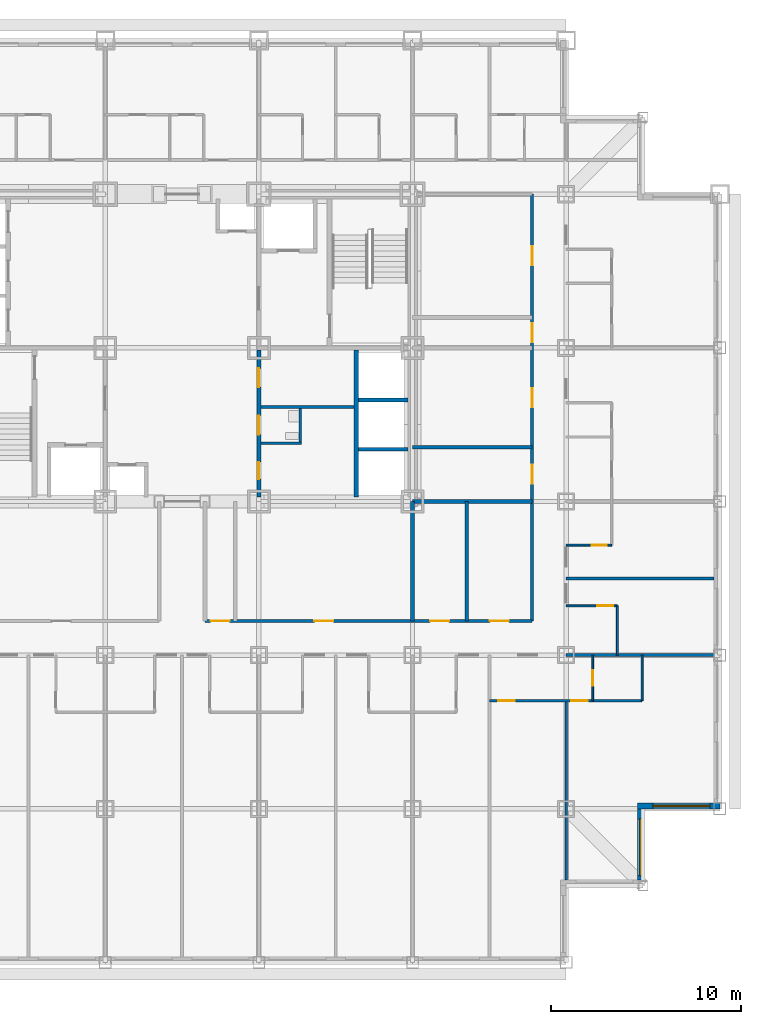
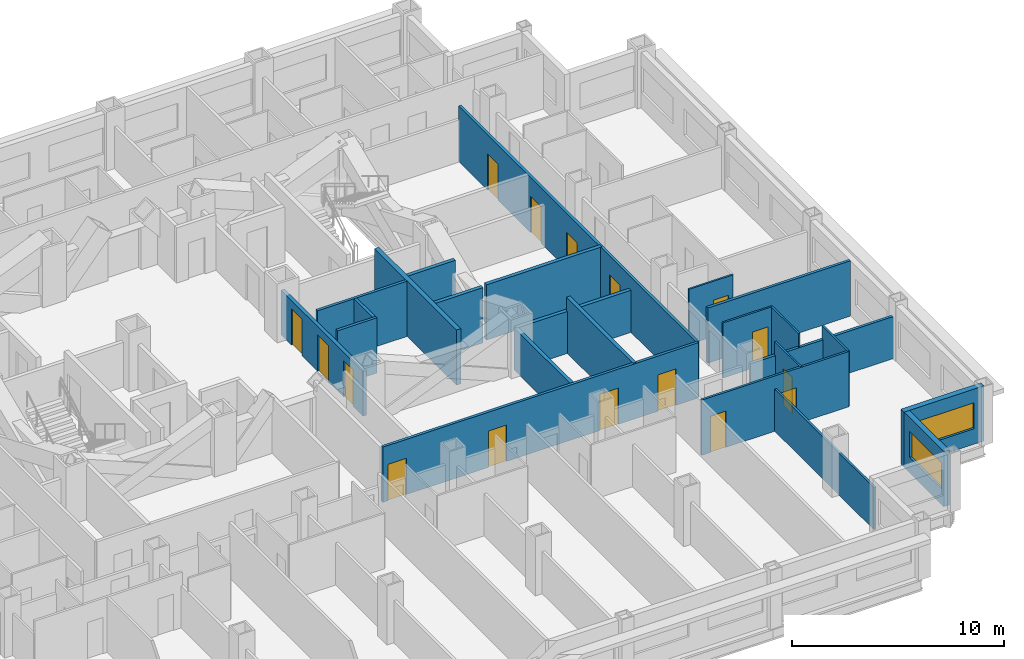
# One storey, part 6 of 12: 24 walls, 16 doors, 2 windows, 18 openings.
"""IFC4 building model written with IfcOpenShell, lengths in metres."""

from ifc_helpers import new_model, si_unit, direction, frame, frame_2d, origin, place, context, subcontext, project, spatial, rectangle, extrude, material, layer, layer_set, type_object, element, fill, save


model = new_model("IFC4")

# Units and contexts
model_context = context("Model", 3, precision=1e-05, world=origin(), true_north=direction((0.0, 1.0)))
body_context = subcontext(model_context, "Body", "Model", "MODEL_VIEW")
ifc_project = project(units=[si_unit("LENGTHUNIT", "METRE"), si_unit("AREAUNIT", "SQUARE_METRE"), si_unit("VOLUMEUNIT", "CUBIC_METRE"), si_unit("PLANEANGLEUNIT", "RADIAN"), si_unit("MASSUNIT", "GRAM", prefix="KILO")], contexts=[model_context])

# Site, building, storey
site_placement = place(None, origin())
site = spatial("IfcSite", under=ifc_project, at=site_placement, CompositionType="ELEMENT")
building_placement = place(site_placement, origin())
building = spatial("IfcBuilding", under=site, at=building_placement, Name="Kopane Lantern Tower", CompositionType="ELEMENT")
storey_placement = place(building_placement, frame((0.0, 0.0, 77.199951171875)))
storey = spatial("IfcBuildingStorey", under=building, at=storey_placement, Name="L19", CompositionType="ELEMENT", Elevation=77.199951171875)

# Wall, openings, doors
ifc_material_1 = material(Name="Gypsum board on steel studs", Category="steel")
ifc_layer_1 = layer(ifc_material_1, 0.1201171875)
ifc_layer_set_1 = layer_set([ifc_layer_1], Name="APARTMENT INTERNAL WALL 120")
wall_type_1 = type_object("IfcWallType", Name="APARTMENT INTERNAL WALL 120", PredefinedType="PARTITIONING", material=ifc_layer_set_1)
wall_1_placement = place(storey_placement, frame((44.550048828125, 13.800048828125, 0.0), z_axis=(0.0, 0.0, 1.0), x_axis=(1.0, 0.0, 0.0)))
wall_1 = element("IfcWall", 1, at=wall_1_placement, inside=storey, type_object=wall_type_1, Name="Apartment Internal Wall 120 L19", PredefinedType="PARTITIONING", context=body_context, shape_type="SweptSolid", body=[
    extrude(rectangle(XDim=8.050048828125, YDim=0.1201171875, at=frame_2d((4.02490234375, 0.0))), origin(), (0.0, 0.0, 1.0), 3.18994140625),
])
opening_1_placement = place(wall_1_placement, frame((0.47509765625, 0.0, 0.0)))
opening_1 = element("IfcOpeningElement", 2, at=opening_1_placement, cuts=wall_1, Name="Opening L19-064", PredefinedType="OPENING", context=body_context, shape_type="SweptSolid", body=[
    extrude(rectangle(XDim=0.85009765625, YDim=2.10009765625, at=frame_2d((0.425048828125, 1.050048828125))), frame((0.0, 0.070068359375, 0.0), z_axis=(0.0, -1.0, 0.0), x_axis=(1.0, 0.0, 0.0)), (0.0, 0.0, 1.0), 0.14013671875),
])
opening_2_placement = place(wall_1_placement, frame((4.324951171875, 0.0, 0.0)))
opening_2 = element("IfcOpeningElement", 3, at=opening_2_placement, cuts=wall_1, Name="Opening L19-066", PredefinedType="OPENING", context=body_context, shape_type="SweptSolid", body=[
    extrude(rectangle(XDim=0.85009765625, YDim=2.10009765625, at=frame_2d((0.425048828125, 1.050048828125))), frame((0.0, 0.070068359375, 0.0), z_axis=(0.0, -1.0, 0.0), x_axis=(1.0, 0.0, 0.0)), (0.0, 0.0, 1.0), 0.14013671875),
])
ifc_material_2 = material(Name="Timber door set", Category="wood")
door_type_1 = type_object("IfcDoorType", Name="DOOR D4 850x2100", OperationType="SINGLE_SWING_LEFT", PredefinedType="DOOR", material=ifc_material_2)
door_1_placement = place(opening_1_placement, origin())
door_1 = element("IfcDoor", 4, at=door_1_placement, inside=storey, type_object=door_type_1, Name="Door L19-064", OperationType="SINGLE_SWING_LEFT", OverallHeight=2.10009765625, OverallWidth=0.85009765625, PredefinedType="DOOR", context=body_context, shape_type="SweptSolid", body=[
    extrude(rectangle(XDim=0.85009765625, YDim=2.10009765625, at=frame_2d((0.425048828125, 1.050048828125))), frame((0.0, 0.02490234375, 0.0), z_axis=(0.0, -1.0, 0.0), x_axis=(1.0, 0.0, 0.0)), (0.0, 0.0, 1.0), 0.050048828125),
])
fill(opening_1, door_1)
door_2_placement = place(opening_2_placement, origin())
door_2 = element("IfcDoor", 5, at=door_2_placement, inside=storey, type_object=door_type_1, Name="Door L19-066", OperationType="SINGLE_SWING_RIGHT", OverallHeight=2.10009765625, OverallWidth=0.85009765625, PredefinedType="DOOR", context=body_context, shape_type="SweptSolid", body=[
    extrude(rectangle(XDim=0.85009765625, YDim=2.10009765625, at=frame_2d((0.425048828125, 1.050048828125))), frame((0.0, 0.02490234375, 0.0), z_axis=(0.0, -1.0, 0.0), x_axis=(1.0, 0.0, 0.0)), (0.0, 0.0, 1.0), 0.050048828125),
])
fill(opening_2, door_2)

# Walls
wall_2_placement = place(storey_placement, frame((48.60009765625, 13.800048828125, 0.0), z_axis=(0.0, 0.0, 1.0), x_axis=(0.0, -1.0, 0.0)))
element("IfcWall", 6, at=wall_2_placement, inside=storey, type_object=wall_type_1, Name="Apartment Internal Wall 120 L19", PredefinedType="PARTITIONING", context=body_context, shape_type="SweptSolid", body=[
    extrude(rectangle(XDim=9.449951171875, YDim=0.1201171875, at=frame_2d((4.72509765625, 0.0))), origin(), (0.0, 0.0, 1.0), 2.427734375),
])
ifc_material_3 = material(Name="Moisture-resistant board on steel studs", Category="steel")
ifc_layer_2 = layer(ifc_material_3, 0.10009765625)
ifc_layer_set_2 = layer_set([ifc_layer_2], Name="BATHROOM WALL 100")
wall_type_2 = type_object("IfcWallType", Name="BATHROOM WALL 100", PredefinedType="PARTITIONING", material=ifc_layer_set_2)
wall_3_placement = place(storey_placement, frame((51.300048828125, 16.199951171875, 0.0), z_axis=(0.0, 0.0, 1.0), x_axis=(0.0, 1.0, 0.0)))
element("IfcWall", 7, at=wall_3_placement, inside=storey, type_object=wall_type_2, Name="Bathroom Wall 100 L19", PredefinedType="PARTITIONING", context=body_context, shape_type="SweptSolid", body=[
    extrude(rectangle(XDim=2.60009765625, YDim=0.10009765625, at=frame_2d((1.300048828125, 0.0))), origin(), (0.0, 0.0, 1.0), 3.18994140625),
])

# Wall, opening, door
wall_4_placement = place(storey_placement, frame((48.60009765625, 18.800048828125, 0.0), z_axis=(0.0, 0.0, 1.0), x_axis=(1.0, 0.0, 0.0)))
wall_4 = element("IfcWall", 8, at=wall_4_placement, inside=storey, type_object=wall_type_2, Name="Bathroom Wall 100 L19", PredefinedType="PARTITIONING", context=body_context, shape_type="SweptSolid", body=[
    extrude(rectangle(XDim=2.699951171875, YDim=0.10009765625, at=frame_2d((1.35009765625, 0.0))), origin(), (0.0, 0.0, 1.0), 3.18994140625),
])
opening_3_placement = place(wall_4_placement, frame((1.625, 0.0, 0.0)))
opening_3 = element("IfcOpeningElement", 9, at=opening_3_placement, cuts=wall_4, Name="Opening L19-049", PredefinedType="OPENING", context=body_context, shape_type="SweptSolid", body=[
    extrude(rectangle(XDim=0.85009765625, YDim=2.10009765625, at=frame_2d((0.425048828125, 1.050048828125))), frame((0.0, 0.06005859375, 0.0), z_axis=(0.0, -1.0, 0.0), x_axis=(1.0, 0.0, 0.0)), (0.0, 0.0, 1.0), 0.1201171875),
])
door_3_placement = place(opening_3_placement, origin())
door_3 = element("IfcDoor", 10, at=door_3_placement, inside=storey, type_object=door_type_1, Name="Door L19-049", OperationType="SINGLE_SWING_LEFT", OverallHeight=2.10009765625, OverallWidth=0.85009765625, PredefinedType="DOOR", context=body_context, shape_type="SweptSolid", body=[
    extrude(rectangle(XDim=0.85009765625, YDim=2.10009765625, at=frame_2d((0.425048828125, 1.050048828125))), frame((0.0, 0.02490234375, 0.0), z_axis=(0.0, -1.0, 0.0), x_axis=(1.0, 0.0, 0.0)), (0.0, 0.0, 1.0), 0.050048828125),
])
fill(opening_3, door_3)

wall_5_placement = place(storey_placement, frame((48.60009765625, 22.0, 0.0), z_axis=(0.0, 0.0, 1.0), x_axis=(1.0, 0.0, 0.0)))
wall_5 = element("IfcWall", 11, at=wall_5_placement, inside=storey, type_object=wall_type_2, Name="Bathroom Wall 100 L19", PredefinedType="PARTITIONING", context=body_context, shape_type="SweptSolid", body=[
    extrude(rectangle(XDim=2.39990234375, YDim=0.10009765625, at=frame_2d((1.199951171875, 0.0))), origin(), (0.0, 0.0, 1.0), 3.18994140625),
])
opening_4_placement = place(wall_5_placement, frame((1.35009765625, 0.0, 0.0)))
opening_4 = element("IfcOpeningElement", 12, at=opening_4_placement, cuts=wall_5, Name="Opening L19-051", PredefinedType="OPENING", context=body_context, shape_type="SweptSolid", body=[
    extrude(rectangle(XDim=0.800048828125, YDim=2.10009765625, at=frame_2d((0.39990234375, 1.050048828125))), frame((0.0, 0.06005859375, 0.0), z_axis=(0.0, -1.0, 0.0), x_axis=(1.0, 0.0, 0.0)), (0.0, 0.0, 1.0), 0.1201171875),
])
ifc_material_4 = material(Name="Timber door set", Category="wood")
door_type_2 = type_object("IfcDoorType", Name="DOOR D2 800x2100", OperationType="SINGLE_SWING_LEFT", PredefinedType="DOOR", material=ifc_material_4)
door_4_placement = place(opening_4_placement, origin())
door_4 = element("IfcDoor", 13, at=door_4_placement, inside=storey, type_object=door_type_2, Name="Door L19-051", OperationType="SINGLE_SWING_RIGHT", OverallHeight=2.10009765625, OverallWidth=0.800048828125, PredefinedType="DOOR", context=body_context, shape_type="SweptSolid", body=[
    extrude(rectangle(XDim=0.800048828125, YDim=2.10009765625, at=frame_2d((0.39990234375, 1.050048828125))), frame((0.0, 0.02490234375, 0.0), z_axis=(0.0, -1.0, 0.0), x_axis=(1.0, 0.0, 0.0)), (0.0, 0.0, 1.0), 0.050048828125),
])
fill(opening_4, door_4)

wall_6_placement = place(storey_placement, frame((50.0, 16.199951171875, 0.0), z_axis=(0.0, 0.0, 1.0), x_axis=(0.0, -1.0, 0.0)))
wall_6 = element("IfcWall", 14, at=wall_6_placement, inside=storey, type_object=wall_type_2, Name="Bathroom Wall 100 L19", PredefinedType="PARTITIONING", context=body_context, shape_type="SweptSolid", body=[
    extrude(rectangle(XDim=2.39990234375, YDim=0.10009765625, at=frame_2d((1.199951171875, 0.0))), origin(), (0.0, 0.0, 1.0), 3.18994140625),
])
opening_5_placement = place(wall_6_placement, frame((0.800048828125, 0.0, 0.0)))
opening_5 = element("IfcOpeningElement", 15, at=opening_5_placement, cuts=wall_6, Name="Opening L19-065", PredefinedType="OPENING", context=body_context, shape_type="SweptSolid", body=[
    extrude(rectangle(XDim=0.800048828125, YDim=2.10009765625, at=frame_2d((0.39990234375, 1.050048828125))), frame((0.0, 0.06005859375, 0.0), z_axis=(0.0, -1.0, 0.0), x_axis=(1.0, 0.0, 0.0)), (0.0, 0.0, 1.0), 0.1201171875),
])
door_5_placement = place(opening_5_placement, origin())
door_5 = element("IfcDoor", 16, at=door_5_placement, inside=storey, type_object=door_type_2, Name="Door L19-065", OperationType="SINGLE_SWING_LEFT", OverallHeight=2.10009765625, OverallWidth=0.800048828125, PredefinedType="DOOR", context=body_context, shape_type="SweptSolid", body=[
    extrude(rectangle(XDim=0.800048828125, YDim=2.10009765625, at=frame_2d((0.39990234375, 1.050048828125))), frame((0.0, 0.02490234375, 0.0), z_axis=(0.0, -1.0, 0.0), x_axis=(1.0, 0.0, 0.0)), (0.0, 0.0, 1.0), 0.050048828125),
])
fill(opening_5, door_5)

# Walls
wall_7_placement = place(storey_placement, frame((52.60009765625, 16.199951171875, 0.0), z_axis=(0.0, 0.0, 1.0), x_axis=(0.0, -1.0, 0.0)))
element("IfcWall", 17, at=wall_7_placement, inside=storey, type_object=wall_type_2, Name="Bathroom Wall 100 L19", PredefinedType="PARTITIONING", context=body_context, shape_type="SweptSolid", body=[
    extrude(rectangle(XDim=2.39990234375, YDim=0.10009765625, at=frame_2d((1.199951171875, 0.0))), origin(), (0.0, 0.0, 1.0), 3.18994140625),
])
ifc_material_5 = material(Name="Gypsum partition EI 60", Category="gypsum")
ifc_layer_3 = layer(ifc_material_5, 0.14990234375)
ifc_layer_set_3 = layer_set([ifc_layer_3], Name="CORE ROOM PARTITION 150 EI 60")
wall_type_3 = type_object("IfcWallType", Name="CORE ROOM PARTITION 150 EI 60", PredefinedType="PARTITIONING", material=ifc_layer_set_3)
wall_8_placement = place(storey_placement, frame((32.5, 27.375, 0.0), z_axis=(0.0, 0.0, 1.0), x_axis=(1.0, 0.0, 0.0)))
element("IfcWall", 18, at=wall_8_placement, inside=storey, type_object=wall_type_3, Name="Core room partition L19 E1", PredefinedType="PARTITIONING", context=body_context, shape_type="SweptSolid", body=[
    extrude(rectangle(XDim=2.14990234375, YDim=0.14990234375, at=frame_2d((1.074951171875, 0.0))), origin(), (0.0, 0.0, 1.0), 3.18994140625),
])
wall_9_placement = place(storey_placement, frame((32.5, 29.27490234375, 0.0), z_axis=(0.0, 0.0, 1.0), x_axis=(1.0, 0.0, 0.0)))
element("IfcWall", 19, at=wall_9_placement, inside=storey, type_object=wall_type_3, Name="Core room partition L19 E2", PredefinedType="PARTITIONING", context=body_context, shape_type="SweptSolid", body=[
    extrude(rectangle(XDim=4.89990234375, YDim=0.14990234375, at=frame_2d((2.449951171875, 0.0))), origin(), (0.0, 0.0, 1.0), 3.18994140625),
])
wall_10_placement = place(storey_placement, frame((34.574951171875, 27.449951171875, 0.0), z_axis=(0.0, 0.0, 1.0), x_axis=(0.0, 1.0, 0.0)))
element("IfcWall", 20, at=wall_10_placement, inside=storey, type_object=wall_type_3, Name="Core room partition L19 EB1", PredefinedType="PARTITIONING", context=body_context, shape_type="SweptSolid", body=[
    extrude(rectangle(XDim=1.75, YDim=0.14990234375, at=frame_2d((0.875, 0.0))), origin(), (0.0, 0.0, 1.0), 3.18994140625),
])

# Wall, openings, doors
ifc_material_6 = material(Name="Gypsum partition EI 60", Category="gypsum")
ifc_layer_4 = layer(ifc_material_6, 0.199951171875)
ifc_layer_set_4 = layer_set([ifc_layer_4], Name="CORE ROOM WALL 200 EI 60")
wall_type_4 = type_object("IfcWallType", Name="CORE ROOM WALL 200 EI 60", PredefinedType="PARTITIONING", material=ifc_layer_set_4)
wall_11_placement = place(storey_placement, frame((32.39990234375, 24.550048828125, 0.0), z_axis=(0.0, 0.0, 1.0), x_axis=(0.0, 1.0, 0.0)))
wall_11 = element("IfcWall", 21, at=wall_11_placement, inside=storey, type_object=wall_type_4, Name="Core room wall L19 XE", PredefinedType="PARTITIONING", context=body_context, shape_type="SweptSolid", body=[
    extrude(rectangle(XDim=7.75, YDim=0.199951171875, at=frame_2d((3.875, 0.0))), origin(), (0.0, 0.0, 1.0), 2.577880859375),
])
opening_6_placement = place(wall_11_placement, frame((0.925048828125, 0.0, 0.0)))
opening_6 = element("IfcOpeningElement", 22, at=opening_6_placement, cuts=wall_11, Name="Opening 19.C20", PredefinedType="OPENING", context=body_context, shape_type="SweptSolid", body=[
    extrude(rectangle(XDim=0.89990234375, YDim=2.10009765625, at=frame_2d((0.449951171875, 1.050048828125))), frame((0.0, 0.10986328125, 0.0), z_axis=(0.0, -1.0, 0.0), x_axis=(1.0, 0.0, 0.0)), (0.0, 0.0, 1.0), 0.219970703125),
])
opening_7_placement = place(wall_11_placement, frame((3.27490234375, 0.0, 0.0)))
opening_7 = element("IfcOpeningElement", 23, at=opening_7_placement, cuts=wall_11, Name="Opening 19.C21", PredefinedType="OPENING", context=body_context, shape_type="SweptSolid", body=[
    extrude(rectangle(XDim=1.0, YDim=2.10009765625, at=frame_2d((0.5, 1.050048828125))), frame((0.0, 0.10986328125, 0.0), z_axis=(0.0, -1.0, 0.0), x_axis=(1.0, 0.0, 0.0)), (0.0, 0.0, 1.0), 0.219970703125),
])
opening_8_placement = place(wall_11_placement, frame((5.77490234375, 0.0, 0.0)))
opening_8 = element("IfcOpeningElement", 24, at=opening_8_placement, cuts=wall_11, Name="Opening 19.C22", PredefinedType="OPENING", context=body_context, shape_type="SweptSolid", body=[
    extrude(rectangle(XDim=1.0, YDim=2.10009765625, at=frame_2d((0.5, 1.050048828125))), frame((0.0, 0.10986328125, 0.0), z_axis=(0.0, -1.0, 0.0), x_axis=(1.0, 0.0, 0.0)), (0.0, 0.0, 1.0), 0.219970703125),
])
ifc_material_7 = material(Name="Steel door set", Category="steel")
door_type_3 = type_object("IfcDoorType", Name="CORE ROOM DOOR 1000x2100 FD30S", OperationType="SINGLE_SWING_RIGHT", PredefinedType="DOOR", material=ifc_material_7)
door_6_placement = place(opening_7_placement, origin())
door_6 = element("IfcDoor", 25, at=door_6_placement, inside=storey, type_object=door_type_3, Name="Door Staff WC L19", OperationType="SINGLE_SWING_LEFT", OverallHeight=2.10009765625, OverallWidth=1.0, PredefinedType="DOOR", context=body_context, shape_type="SweptSolid", body=[
    extrude(rectangle(XDim=1.0, YDim=2.10009765625, at=frame_2d((0.5, 1.050048828125))), frame((0.0, 0.02490234375, 0.0), z_axis=(0.0, -1.0, 0.0), x_axis=(1.0, 0.0, 0.0)), (0.0, 0.0, 1.0), 0.050048828125),
])
fill(opening_7, door_6)
door_7_placement = place(opening_8_placement, origin())
door_7 = element("IfcDoor", 26, at=door_7_placement, inside=storey, type_object=door_type_3, Name="Door Guest pantry L19", OperationType="SINGLE_SWING_RIGHT", OverallHeight=2.10009765625, OverallWidth=1.0, PredefinedType="DOOR", context=body_context, shape_type="SweptSolid", body=[
    extrude(rectangle(XDim=1.0, YDim=2.10009765625, at=frame_2d((0.5, 1.050048828125))), frame((0.0, 0.02490234375, 0.0), z_axis=(0.0, -1.0, 0.0), x_axis=(1.0, 0.0, 0.0)), (0.0, 0.0, 1.0), 0.050048828125),
])
fill(opening_8, door_7)
ifc_material_8 = material(Name="Steel door set", Category="steel")
door_type_4 = type_object("IfcDoorType", Name="CORE ROOM DOOR 900x2100 FD60", OperationType="SINGLE_SWING_LEFT", PredefinedType="DOOR", material=ifc_material_8)
door_8_placement = place(opening_6_placement, origin())
door_8 = element("IfcDoor", 27, at=door_8_placement, inside=storey, type_object=door_type_4, Name="Door Luggage store L19", OperationType="SINGLE_SWING_LEFT", OverallHeight=2.10009765625, OverallWidth=0.89990234375, PredefinedType="DOOR", context=body_context, shape_type="SweptSolid", body=[
    extrude(rectangle(XDim=0.89990234375, YDim=2.10009765625, at=frame_2d((0.449951171875, 1.050048828125))), frame((0.0, 0.02490234375, 0.0), z_axis=(0.0, -1.0, 0.0), x_axis=(1.0, 0.0, 0.0)), (0.0, 0.0, 1.0), 0.050048828125),
])
fill(opening_6, door_8)

# Wall
ifc_material_9 = material(Name="Gypsum shaft wall EI 120", Category="gypsum")
ifc_layer_5 = layer(ifc_material_9, 0.25)
ifc_layer_set_5 = layer_set([ifc_layer_5], Name="CORE SHAFT WALL 250 EI 120")
wall_type_5 = type_object("IfcWallType", Name="CORE SHAFT WALL 250 EI 120", PredefinedType="SOLIDWALL", material=ifc_layer_set_5)
wall_12_placement = place(storey_placement, frame((37.52490234375, 24.550048828125, 0.0), z_axis=(0.0, 0.0, 1.0), x_axis=(0.0, 1.0, 0.0)))
element("IfcWall", 28, at=wall_12_placement, inside=storey, type_object=wall_type_5, Name="Core shaft wall L19 XLR", PredefinedType="SOLIDWALL", context=body_context, shape_type="SweptSolid", body=[
    extrude(rectangle(XDim=7.75, YDim=0.25, at=frame_2d((3.875, 0.0))), origin(), (0.0, 0.0, 1.0), 3.18994140625),
])

# Wall, openings, doors
ifc_material_10 = material(Name="Gypsum board on steel studs", Category="steel")
ifc_layer_6 = layer(ifc_material_10, 0.14990234375)
ifc_layer_set_6 = layer_set([ifc_layer_6], Name="CORRIDOR WALL 150 EI 60")
wall_type_6 = type_object("IfcWallType", Name="CORRIDOR WALL 150 EI 60", PredefinedType="PARTITIONING", material=ifc_layer_set_6)
wall_13_placement = place(storey_placement, frame((46.800048828125, 18.0, 0.0), z_axis=(0.0, 0.0, 1.0), x_axis=(0.0, 1.0, 0.0)))
wall_13 = element("IfcWall", 29, at=wall_13_placement, inside=storey, type_object=wall_type_6, Name="Corridor Wall 150 Ei 60 L19", PredefinedType="PARTITIONING", context=body_context, shape_type="SweptSolid", body=[
    extrude(rectangle(XDim=22.5, YDim=0.14990234375, at=frame_2d((11.25, 0.0))), origin(), (0.0, 0.0, 1.0), 3.18994140625),
])
opening_9_placement = place(wall_13_placement, frame((7.228515625, 0.0, 0.0)))
opening_9 = element("IfcOpeningElement", 30, at=opening_9_placement, cuts=wall_13, Name="Opening L19-003", PredefinedType="OPENING", context=body_context, shape_type="SweptSolid", body=[
    extrude(rectangle(XDim=1.0, YDim=2.10009765625, at=frame_2d((0.5, 1.050048828125))), frame((0.0, 0.0849609375, 0.0), z_axis=(0.0, -1.0, 0.0), x_axis=(1.0, 0.0, 0.0)), (0.0, 0.0, 1.0), 0.169921875),
])
opening_10_placement = place(wall_13_placement, frame((11.278564453125, 0.0, 0.0)))
opening_10 = element("IfcOpeningElement", 31, at=opening_10_placement, cuts=wall_13, Name="Opening L19-004", PredefinedType="OPENING", context=body_context, shape_type="SweptSolid", body=[
    extrude(rectangle(XDim=1.0, YDim=2.10009765625, at=frame_2d((0.5, 1.050048828125))), frame((0.0, 0.0849609375, 0.0), z_axis=(0.0, -1.0, 0.0), x_axis=(1.0, 0.0, 0.0)), (0.0, 0.0, 1.0), 0.169921875),
])
opening_11_placement = place(wall_13_placement, frame((14.699951171875, 0.0, 0.0)))
opening_11 = element("IfcOpeningElement", 32, at=opening_11_placement, cuts=wall_13, Name="Opening L19-005", PredefinedType="OPENING", context=body_context, shape_type="SweptSolid", body=[
    extrude(rectangle(XDim=1.0, YDim=2.10009765625, at=frame_2d((0.5, 1.050048828125))), frame((0.0, 0.0849609375, 0.0), z_axis=(0.0, -1.0, 0.0), x_axis=(1.0, 0.0, 0.0)), (0.0, 0.0, 1.0), 0.169921875),
])
opening_12_placement = place(wall_13_placement, frame((18.75, 0.0, 0.0)))
opening_12 = element("IfcOpeningElement", 33, at=opening_12_placement, cuts=wall_13, Name="Opening L19-006", PredefinedType="OPENING", context=body_context, shape_type="SweptSolid", body=[
    extrude(rectangle(XDim=1.0, YDim=2.10009765625, at=frame_2d((0.5, 1.050048828125))), frame((0.0, 0.0849609375, 0.0), z_axis=(0.0, -1.0, 0.0), x_axis=(1.0, 0.0, 0.0)), (0.0, 0.0, 1.0), 0.169921875),
])
ifc_material_11 = material(Name="Steel door set", Category="steel")
door_type_5 = type_object("IfcDoorType", Name="DOOR D5 1000x2100 FD60", OperationType="SINGLE_SWING_LEFT", PredefinedType="DOOR", material=ifc_material_11)
door_9_placement = place(opening_9_placement, origin())
door_9 = element("IfcDoor", 34, at=door_9_placement, inside=storey, type_object=door_type_5, Name="Door L19-003", OperationType="SINGLE_SWING_LEFT", OverallHeight=2.10009765625, OverallWidth=1.0, PredefinedType="DOOR", context=body_context, shape_type="SweptSolid", body=[
    extrude(rectangle(XDim=1.0, YDim=2.10009765625, at=frame_2d((0.5, 1.050048828125))), frame((0.0, 0.02490234375, 0.0), z_axis=(0.0, -1.0, 0.0), x_axis=(1.0, 0.0, 0.0)), (0.0, 0.0, 1.0), 0.050048828125),
])
fill(opening_9, door_9)
door_10_placement = place(opening_10_placement, origin())
door_10 = element("IfcDoor", 35, at=door_10_placement, inside=storey, type_object=door_type_5, Name="Door L19-004", OperationType="SINGLE_SWING_RIGHT", OverallHeight=2.10009765625, OverallWidth=1.0, PredefinedType="DOOR", context=body_context, shape_type="SweptSolid", body=[
    extrude(rectangle(XDim=1.0, YDim=2.10009765625, at=frame_2d((0.5, 1.050048828125))), frame((0.0, 0.02490234375, 0.0), z_axis=(0.0, -1.0, 0.0), x_axis=(1.0, 0.0, 0.0)), (0.0, 0.0, 1.0), 0.050048828125),
])
fill(opening_10, door_10)
door_11_placement = place(opening_11_placement, origin())
door_11 = element("IfcDoor", 36, at=door_11_placement, inside=storey, type_object=door_type_5, Name="Door L19-005", OperationType="SINGLE_SWING_LEFT", OverallHeight=2.10009765625, OverallWidth=1.0, PredefinedType="DOOR", context=body_context, shape_type="SweptSolid", body=[
    extrude(rectangle(XDim=1.0, YDim=2.10009765625, at=frame_2d((0.5, 1.050048828125))), frame((0.0, 0.02490234375, 0.0), z_axis=(0.0, -1.0, 0.0), x_axis=(1.0, 0.0, 0.0)), (0.0, 0.0, 1.0), 0.050048828125),
])
fill(opening_11, door_11)
door_12_placement = place(opening_12_placement, origin())
door_12 = element("IfcDoor", 37, at=door_12_placement, inside=storey, type_object=door_type_5, Name="Door L19-006", OperationType="SINGLE_SWING_RIGHT", OverallHeight=2.10009765625, OverallWidth=1.0, PredefinedType="DOOR", context=body_context, shape_type="SweptSolid", body=[
    extrude(rectangle(XDim=1.0, YDim=2.10009765625, at=frame_2d((0.5, 1.050048828125))), frame((0.0, 0.02490234375, 0.0), z_axis=(0.0, -1.0, 0.0), x_axis=(1.0, 0.0, 0.0)), (0.0, 0.0, 1.0), 0.050048828125),
])
fill(opening_12, door_12)

wall_14_placement = place(storey_placement, frame((29.56005859375, 18.0, 0.0), z_axis=(0.0, 0.0, 1.0), x_axis=(1.0, 0.0, 0.0)))
wall_14 = element("IfcWall", 38, at=wall_14_placement, inside=storey, type_object=wall_type_6, Name="Corridor Wall 150 Ei 60 L19", PredefinedType="PARTITIONING", context=body_context, shape_type="SweptSolid", body=[
    extrude(rectangle(XDim=17.239990234375, YDim=0.14990234375, at=frame_2d((8.6201171875, 0.0))), origin(), (0.0, 0.0, 1.0), 3.18994140625),
])
opening_13_placement = place(wall_14_placement, frame((0.2900390625, 0.0, 0.0)))
opening_13 = element("IfcOpeningElement", 39, at=opening_13_placement, cuts=wall_14, Name="Opening L19-009", PredefinedType="OPENING", context=body_context, shape_type="SweptSolid", body=[
    extrude(rectangle(XDim=1.0, YDim=2.10009765625, at=frame_2d((0.5, 1.050048828125))), frame((0.0, 0.0849609375, 0.0), z_axis=(0.0, -1.0, 0.0), x_axis=(1.0, 0.0, 0.0)), (0.0, 0.0, 1.0), 0.169921875),
])
opening_14_placement = place(wall_14_placement, frame((5.764892578125, 0.0, 0.0)))
opening_14 = element("IfcOpeningElement", 40, at=opening_14_placement, cuts=wall_14, Name="Opening L19-010", PredefinedType="OPENING", context=body_context, shape_type="SweptSolid", body=[
    extrude(rectangle(XDim=1.0, YDim=2.10009765625, at=frame_2d((0.5, 1.050048828125))), frame((0.0, 0.0849609375, 0.0), z_axis=(0.0, -1.0, 0.0), x_axis=(1.0, 0.0, 0.0)), (0.0, 0.0, 1.0), 0.169921875),
])
opening_15_placement = place(wall_14_placement, frame((11.86865234375, 0.0, 0.0)))
opening_15 = element("IfcOpeningElement", 41, at=opening_15_placement, cuts=wall_14, Name="Opening L19-011", PredefinedType="OPENING", context=body_context, shape_type="SweptSolid", body=[
    extrude(rectangle(XDim=1.0, YDim=2.10009765625, at=frame_2d((0.5, 1.050048828125))), frame((0.0, 0.0849609375, 0.0), z_axis=(0.0, -1.0, 0.0), x_axis=(1.0, 0.0, 0.0)), (0.0, 0.0, 1.0), 0.169921875),
])
opening_16_placement = place(wall_14_placement, frame((15.0185546875, 0.0, 0.0)))
opening_16 = element("IfcOpeningElement", 42, at=opening_16_placement, cuts=wall_14, Name="Opening L19-012", PredefinedType="OPENING", context=body_context, shape_type="SweptSolid", body=[
    extrude(rectangle(XDim=1.0, YDim=2.10009765625, at=frame_2d((0.5, 1.050048828125))), frame((0.0, 0.0849609375, 0.0), z_axis=(0.0, -1.0, 0.0), x_axis=(1.0, 0.0, 0.0)), (0.0, 0.0, 1.0), 0.169921875),
])
door_13_placement = place(opening_13_placement, origin())
door_13 = element("IfcDoor", 43, at=door_13_placement, inside=storey, type_object=door_type_5, Name="Door L19-009", OperationType="SINGLE_SWING_LEFT", OverallHeight=2.10009765625, OverallWidth=1.0, PredefinedType="DOOR", context=body_context, shape_type="SweptSolid", body=[
    extrude(rectangle(XDim=1.0, YDim=2.10009765625, at=frame_2d((0.5, 1.050048828125))), frame((0.0, 0.02490234375, 0.0), z_axis=(0.0, -1.0, 0.0), x_axis=(1.0, 0.0, 0.0)), (0.0, 0.0, 1.0), 0.050048828125),
])
fill(opening_13, door_13)
door_14_placement = place(opening_14_placement, origin())
door_14 = element("IfcDoor", 44, at=door_14_placement, inside=storey, type_object=door_type_5, Name="Door L19-010", OperationType="SINGLE_SWING_RIGHT", OverallHeight=2.10009765625, OverallWidth=1.0, PredefinedType="DOOR", context=body_context, shape_type="SweptSolid", body=[
    extrude(rectangle(XDim=1.0, YDim=2.10009765625, at=frame_2d((0.5, 1.050048828125))), frame((0.0, 0.02490234375, 0.0), z_axis=(0.0, -1.0, 0.0), x_axis=(1.0, 0.0, 0.0)), (0.0, 0.0, 1.0), 0.050048828125),
])
fill(opening_14, door_14)
door_15_placement = place(opening_15_placement, origin())
door_15 = element("IfcDoor", 45, at=door_15_placement, inside=storey, type_object=door_type_5, Name="Door L19-011", OperationType="SINGLE_SWING_LEFT", OverallHeight=2.10009765625, OverallWidth=1.0, PredefinedType="DOOR", context=body_context, shape_type="SweptSolid", body=[
    extrude(rectangle(XDim=1.0, YDim=2.10009765625, at=frame_2d((0.5, 1.050048828125))), frame((0.0, 0.02490234375, 0.0), z_axis=(0.0, -1.0, 0.0), x_axis=(1.0, 0.0, 0.0)), (0.0, 0.0, 1.0), 0.050048828125),
])
fill(opening_15, door_15)
door_16_placement = place(opening_16_placement, origin())
door_16 = element("IfcDoor", 46, at=door_16_placement, inside=storey, type_object=door_type_5, Name="Door L19-012", OperationType="SINGLE_SWING_RIGHT", OverallHeight=2.10009765625, OverallWidth=1.0, PredefinedType="DOOR", context=body_context, shape_type="SweptSolid", body=[
    extrude(rectangle(XDim=1.0, YDim=2.10009765625, at=frame_2d((0.5, 1.050048828125))), frame((0.0, 0.02490234375, 0.0), z_axis=(0.0, -1.0, 0.0), x_axis=(1.0, 0.0, 0.0)), (0.0, 0.0, 1.0), 0.050048828125),
])
fill(opening_16, door_16)

# Walls
ifc_material_12 = material(Name="Gypsum board on steel studs", Category="steel")
ifc_layer_7 = layer(ifc_material_12, 0.14990234375)
ifc_layer_set_7 = layer_set([ifc_layer_7], Name="DEMISING WALL 150 EI 60")
wall_type_7 = type_object("IfcWallType", Name="DEMISING WALL 150 EI 60", PredefinedType="PARTITIONING", material=ifc_layer_set_7)
wall_15_placement = place(storey_placement, frame((48.60009765625, 20.25, 0.0), z_axis=(0.0, 0.0, 1.0), x_axis=(1.0, 0.0, 0.0)))
element("IfcWall", 47, at=wall_15_placement, inside=storey, type_object=wall_type_7, Name="Demising Wall 150 Ei 60 L19", PredefinedType="PARTITIONING", context=body_context, shape_type="SweptSolid", body=[
    extrude(rectangle(XDim=7.7998046875, YDim=0.14990234375, at=frame_2d((3.89990234375, 0.0))), origin(), (0.0, 0.0, 1.0), 3.18994140625),
])
wall_16_placement = place(storey_placement, frame((48.60009765625, 16.199951171875, 0.0), z_axis=(0.0, 0.0, 1.0), x_axis=(1.0, 0.0, 0.0)))
element("IfcWall", 48, at=wall_16_placement, inside=storey, type_object=wall_type_7, Name="Demising Wall 150 Ei 60 L19", PredefinedType="PARTITIONING", context=body_context, shape_type="SweptSolid", body=[
    extrude(rectangle(XDim=7.7998046875, YDim=0.14990234375, at=frame_2d((3.89990234375, 0.0))), origin(), (0.0, 0.0, 1.0), 2.427734375),
])

# Wall, opening, window
ifc_material_13 = material(Name="Terracotta rainscreen on light steel framing", Category="masonry")
ifc_layer_8 = layer(ifc_material_13, 0.300048828125)
ifc_layer_set_8 = layer_set([ifc_layer_8], Name="EXTERNAL WALL EW1 300 TERRACOTTA")
wall_type_8 = type_object("IfcWallType", Name="EXTERNAL WALL EW1 300 TERRACOTTA", PredefinedType="SOLIDWALL", material=ifc_layer_set_8)
wall_17_placement = place(storey_placement, frame((52.5, 4.35009765625, 0.0), z_axis=(0.0, 0.0, 1.0), x_axis=(0.0, 1.0, 0.0)))
wall_17 = element("IfcWall", 49, at=wall_17_placement, inside=storey, type_object=wall_type_8, Name="External wall E L19", PredefinedType="SOLIDWALL", context=body_context, shape_type="SweptSolid", body=[
    extrude(rectangle(XDim=3.75, YDim=0.300048828125, at=frame_2d((1.875, 0.0))), origin(), (0.0, 0.0, 1.0), 3.18994140625),
])
opening_17_placement = place(wall_17_placement, frame((0.22509765625, 0.0, 0.89990234375)))
opening_17 = element("IfcOpeningElement", 50, at=opening_17_placement, cuts=wall_17, Name="Opening WR300150", PredefinedType="OPENING", context=body_context, shape_type="SweptSolid", body=[
    extrude(rectangle(XDim=3.0, YDim=1.5, at=frame_2d((1.5, 0.75))), frame((0.0, 0.159912109375, 0.0), z_axis=(0.0, -1.0, 0.0), x_axis=(1.0, 0.0, 0.0)), (0.0, 0.0, 1.0), 0.320068359375),
])
ifc_material_14 = material(Name="Aluminium and clear glass", Category="aluminium")
window_type = type_object("IfcWindowType", Name="RIBBON WINDOW WR300150 3000x1500", PartitioningType="SINGLE_PANEL", PredefinedType="WINDOW", material=ifc_material_14)
window_1_placement = place(opening_17_placement, origin())
window_1 = element("IfcWindow", 51, at=window_1_placement, inside=storey, type_object=window_type, Name="Window E L19", OverallHeight=1.5, OverallWidth=3.0, PartitioningType="SINGLE_PANEL", PredefinedType="WINDOW", context=body_context, shape_type="SweptSolid", body=[
    extrude(rectangle(XDim=3.0, YDim=1.5, at=frame_2d((1.5, 0.75))), frame((0.0, 0.030029296875, 0.0), z_axis=(0.0, -1.0, 0.0), x_axis=(1.0, 0.0, 0.0)), (0.0, 0.0, 1.0), 0.06005859375),
])
fill(opening_17, window_1)

wall_18_placement = place(storey_placement, frame((52.35009765625, 8.25, 0.0), z_axis=(0.0, 0.0, 1.0), x_axis=(1.0, 0.0, 0.0)))
wall_18 = element("IfcWall", 52, at=wall_18_placement, inside=storey, type_object=wall_type_8, Name="External wall S L19", PredefinedType="SOLIDWALL", context=body_context, shape_type="SweptSolid", body=[
    extrude(rectangle(XDim=4.349853515625, YDim=0.300048828125, at=frame_2d((2.1748046875, 0.0))), origin(), (0.0, 0.0, 1.0), 3.18994140625),
])
opening_18_placement = place(wall_18_placement, frame((0.824951171875, 0.0, 0.89990234375)))
opening_18 = element("IfcOpeningElement", 53, at=opening_18_placement, cuts=wall_18, Name="Opening WR300150", PredefinedType="OPENING", context=body_context, shape_type="SweptSolid", body=[
    extrude(rectangle(XDim=3.0, YDim=1.5, at=frame_2d((1.5, 0.75))), frame((0.0, 0.159912109375, 0.0), z_axis=(0.0, -1.0, 0.0), x_axis=(1.0, 0.0, 0.0)), (0.0, 0.0, 1.0), 0.320068359375),
])
window_2_placement = place(opening_18_placement, origin())
window_2 = element("IfcWindow", 54, at=window_2_placement, inside=storey, type_object=window_type, Name="Window S L19", OverallHeight=1.5, OverallWidth=3.0, PartitioningType="SINGLE_PANEL", PredefinedType="WINDOW", context=body_context, shape_type="SweptSolid", body=[
    extrude(rectangle(XDim=3.0, YDim=1.5, at=frame_2d((1.5, 0.75))), frame((0.0, 0.030029296875, 0.0), z_axis=(0.0, -1.0, 0.0), x_axis=(1.0, 0.0, 0.0)), (0.0, 0.0, 1.0), 0.06005859375),
])
fill(opening_18, window_2)

# Walls
ifc_material_15 = material(Name="Concrete masonry", Category="masonry")
ifc_layer_9 = layer(ifc_material_15, 0.199951171875)
ifc_layer_set_9 = layer_set([ifc_layer_9], Name="PLANT ROOM WALL 200 EI 120")
wall_type_9 = type_object("IfcWallType", Name="PLANT ROOM WALL 200 EI 120", PredefinedType="SOLIDWALL", material=ifc_layer_set_9)
wall_19_placement = place(storey_placement, frame((46.800048828125, 27.156982421875, 0.0), z_axis=(0.0, 0.0, 1.0), x_axis=(-1.0, 0.0, 0.0)))
element("IfcWall", 55, at=wall_19_placement, inside=storey, type_object=wall_type_9, Name="Plant Room Wall 200 Ei 120 L19", PredefinedType="SOLIDWALL", context=body_context, shape_type="SweptSolid", body=[
    extrude(rectangle(XDim=6.300048828125, YDim=0.199951171875, at=frame_2d((3.14990234375, 0.0))), origin(), (0.0, 0.0, 1.0), 3.18994140625),
])
wall_20_placement = place(storey_placement, frame((40.5, 18.0, 0.0), z_axis=(0.0, 0.0, 1.0), x_axis=(0.0, 1.0, 0.0)))
element("IfcWall", 56, at=wall_20_placement, inside=storey, type_object=wall_type_9, Name="Plant Room Wall 200 Ei 120 L19", PredefinedType="SOLIDWALL", context=body_context, shape_type="SweptSolid", body=[
    extrude(rectangle(XDim=6.300048828125, YDim=0.199951171875, at=frame_2d((3.14990234375, 0.0))), origin(), (0.0, 0.0, 1.0), 2.427734375),
])
wall_21_placement = place(storey_placement, frame((43.357177734375, 18.0, 0.0), z_axis=(0.0, 0.0, 1.0), x_axis=(0.0, 1.0, 0.0)))
element("IfcWall", 57, at=wall_21_placement, inside=storey, type_object=wall_type_9, Name="Plant Room Wall 200 Ei 120 L19", PredefinedType="SOLIDWALL", context=body_context, shape_type="SweptSolid", body=[
    extrude(rectangle(XDim=6.300048828125, YDim=0.199951171875, at=frame_2d((3.14990234375, 0.0))), origin(), (0.0, 0.0, 1.0), 3.18994140625),
])
wall_22_placement = place(storey_placement, frame((40.5, 24.300048828125, 0.0), z_axis=(0.0, 0.0, 1.0), x_axis=(1.0, 0.0, 0.0)))
element("IfcWall", 58, at=wall_22_placement, inside=storey, type_object=wall_type_9, Name="Plant Room Wall 200 Ei 120 L19", PredefinedType="SOLIDWALL", context=body_context, shape_type="SweptSolid", body=[
    extrude(rectangle(XDim=6.300048828125, YDim=0.199951171875, at=frame_2d((3.14990234375, 0.0))), origin(), (0.0, 0.0, 1.0), 2.427734375),
])
ifc_material_16 = material(Name="Gypsum shaft wall EI 120", Category="gypsum")
ifc_layer_10 = layer(ifc_material_16, 0.199951171875)
ifc_layer_set_10 = layer_set([ifc_layer_10], Name="SHAFT WALL 200 EI 120")
wall_type_10 = type_object("IfcWallType", Name="SHAFT WALL 200 EI 120", PredefinedType="SOLIDWALL", material=ifc_layer_set_10)
for number, where, z_axis, x_axis, name in (
    (59, (37.64990234375, 27.050048828125, 0.0), (0.0, 0.0, 1.0), (1.0, 0.0, 0.0), "Core shaft wall L19 YLR12"),
    (60, (37.64990234375, 29.64990234375, 0.0), (0.0, 0.0, 1.0), (1.0, 0.0, 0.0), "Core shaft wall L19 YLR23"),
):
    element("IfcWall", number, at=place(storey_placement, frame(where, z_axis=z_axis, x_axis=x_axis)), inside=storey, type_object=wall_type_10, Name=name, PredefinedType="SOLIDWALL", context=body_context, shape_type="SweptSolid", body=[
        extrude(rectangle(XDim=2.60009765625, YDim=0.199951171875, at=frame_2d((1.300048828125, 0.0))), origin(), (0.0, 0.0, 1.0), 3.18994140625),
    ])

save(model, "model.ifc")
